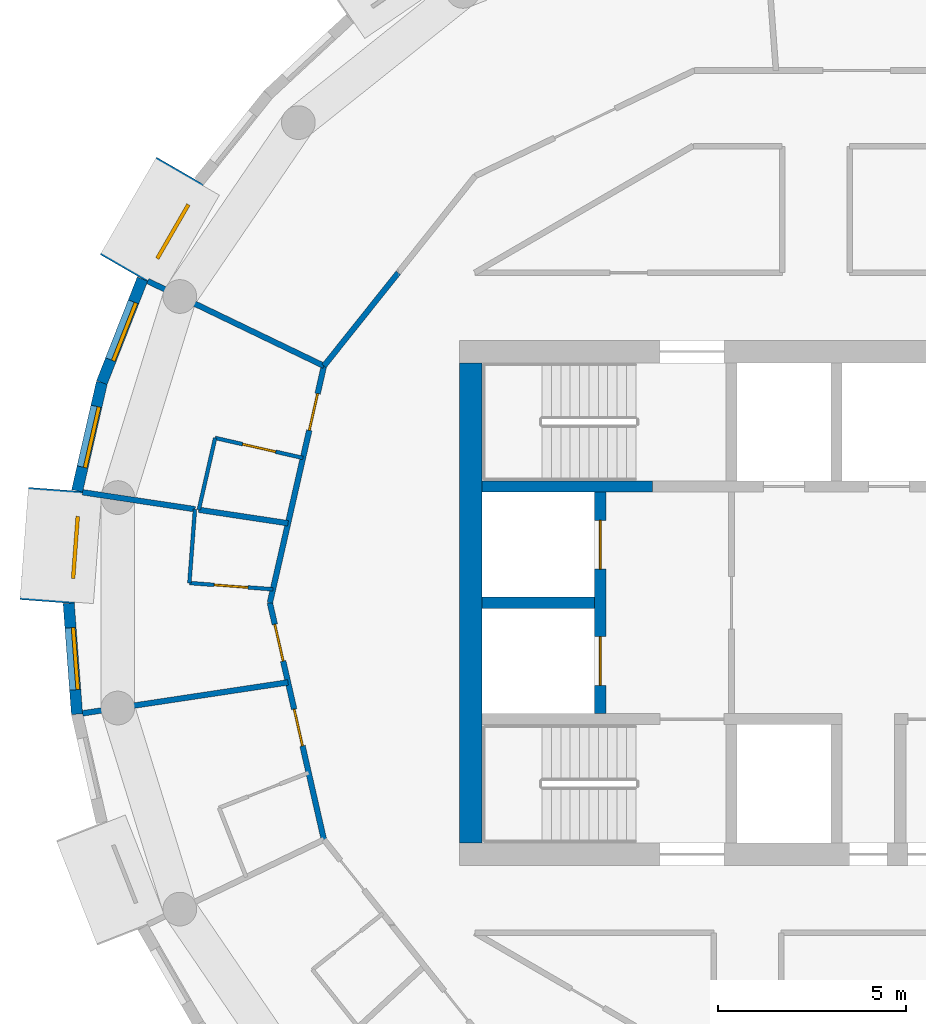
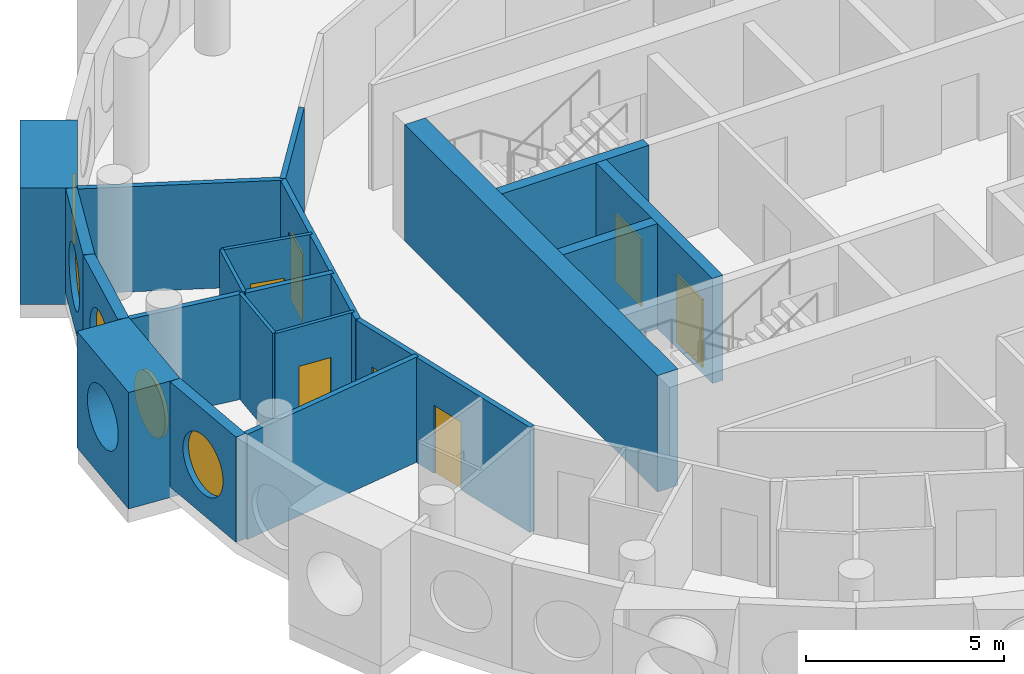
# One storey, part 6 of 12: 20 walls, 7 doors, 5 windows, 12 openings.
"""IFC4 building model written with IfcOpenShell, lengths in metres."""

from ifc_helpers import new_model, si_unit, direction, frame, frame_2d, origin, origin_2d, place, context, subcontext, project, spatial, rectangle, circle, extrude, material, layer, layer_set, type_object, element, fill, save


model = new_model("IFC4")

# Units and contexts
model_context = context("Model", 3, precision=1e-05, world=origin(), true_north=direction((0.0, 1.0)))
body_context = subcontext(model_context, "Body", "Model", "MODEL_VIEW")
ifc_project = project(units=[si_unit("LENGTHUNIT", "METRE"), si_unit("AREAUNIT", "SQUARE_METRE"), si_unit("VOLUMEUNIT", "CUBIC_METRE"), si_unit("PLANEANGLEUNIT", "RADIAN"), si_unit("MASSUNIT", "GRAM", prefix="KILO")], contexts=[model_context])

# Site, building, storey
site_placement = place(None, origin())
site = spatial("IfcSite", under=ifc_project, at=site_placement, CompositionType="ELEMENT")
building_placement = place(site_placement, origin())
building = spatial("IfcBuilding", under=site, at=building_placement, Name="Tracery Tower", CompositionType="ELEMENT")
storey_placement = place(building_placement, frame((0.0, 0.0, 291.0)))
storey = spatial("IfcBuildingStorey", under=building, at=storey_placement, Name="L75", CompositionType="ELEMENT", Elevation=291.0)

# Wall
ifc_material_1 = material(Name="Concrete C40/50", Category="concrete")
ifc_layer_1 = layer(ifc_material_1, 0.60009765625)
ifc_layer_set_1 = layer_set([ifc_layer_1], Name="Core wall 600 C40")
wall_type_1 = type_object("IfcWallType", Name="Core wall 600 C40", PredefinedType="SOLIDWALL", material=ifc_layer_set_1)
wall_1_placement = place(storey_placement, frame((-9.199951171875, -6.39990234375, 0.0), z_axis=(0.0, 0.0, 1.0), x_axis=(0.0, 1.0, 0.0)))
element("IfcWall", 1, at=wall_1_placement, inside=storey, type_object=wall_type_1, Name="L75 outer W", PredefinedType="SOLIDWALL", context=body_context, shape_type="SweptSolid", body=[
    extrude(rectangle(XDim=12.7998046875, YDim=0.60009765625, at=frame_2d((6.39990234375, 0.0))), origin(), (0.0, 0.0, 1.0), 3.60009765625),
])

# Wall, opening, window
ifc_material_2 = material(Name="Precast concrete C50/60", Category="concrete")
ifc_layer_2 = layer(ifc_material_2, 1.449951171875)
ifc_layer_set_2 = layer_set([ifc_layer_2], Name="Deep-set bay unit 3000 x 3600, slab edge 350")
wall_type_2 = type_object("IfcWallType", Name="Deep-set bay unit 3000 x 3600, slab edge 350", PredefinedType="ELEMENTEDWALL", material=ifc_layer_set_2)
wall_2_placement = place(storey_placement, frame((-16.952392578125, 11.51953125, -0.35009765625), z_axis=(0.0, 0.0, 1.0), x_axis=(-0.499990139034, -0.866031096941, 0.0)))
wall_2 = element("IfcWall", 2, at=wall_2_placement, inside=storey, type_object=wall_type_2, Name="Deep-set bay unit 18 at L75", PredefinedType="ELEMENTEDWALL", context=body_context, shape_type="SweptSolid", body=[
    extrude(rectangle(XDim=3.0, YDim=1.449951171875, at=frame_2d((1.5, 0.0))), origin(), (0.0, 0.0, 1.0), 3.60009765625),
])
opening_1_placement = place(wall_2_placement, frame((1.5, 0.0, 1.89990234375)))
opening_1 = element("IfcOpeningElement", 3, at=opening_1_placement, cuts=wall_2, Name="Opening WN1", PredefinedType="OPENING", context=body_context, shape_type="SweptSolid", body=[
    extrude(circle(Radius=0.9000244140625, at=origin_2d()), frame((0.0, 0.73486328125, 0.0), z_axis=(0.0, -1.0, 0.0), x_axis=(1.0, 0.0, 0.0)), (0.0, 0.0, 1.0), 1.469970703125),
])
ifc_material_3 = material(Name="Aluminium frame with tinted double glazing", Category="aluminium")
window_type = type_object("IfcWindowType", Name="Round window 1800", PartitioningType="SINGLE_PANEL", PredefinedType="WINDOW", material=ifc_material_3)
window_1_placement = place(opening_1_placement, origin())
window_1 = element("IfcWindow", 4, at=window_1_placement, inside=storey, type_object=window_type, Name="Round window 18 at L75", OverallHeight=1.800048828125, OverallWidth=1.800048828125, PartitioningType="SINGLE_PANEL", PredefinedType="WINDOW", context=body_context, shape_type="SweptSolid", body=[
    extrude(circle(Radius=0.9000244140625, at=origin_2d()), frame((0.0, 0.69482421875, 0.0), z_axis=(0.0, -1.0, 0.0), x_axis=(1.0, 0.0, 0.0)), (0.0, 0.0, 1.0), 0.10009765625),
])
fill(opening_1, window_1)

wall_3_placement = place(storey_placement, frame((-20.271728515625, 3.0234375, -0.35009765625), z_axis=(0.0, 0.0, 1.0), x_axis=(-0.074785902127, -0.997199613339, 0.0)))
wall_3 = element("IfcWall", 5, at=wall_3_placement, inside=storey, type_object=wall_type_2, Name="Deep-set bay unit 21 at L75", PredefinedType="ELEMENTEDWALL", context=body_context, shape_type="SweptSolid", body=[
    extrude(rectangle(XDim=3.0, YDim=1.449951171875, at=frame_2d((1.5, 0.0))), origin(), (0.0, 0.0, 1.0), 3.60009765625),
])
opening_2_placement = place(wall_3_placement, frame((1.5, 0.0, 1.89990234375)))
opening_2 = element("IfcOpeningElement", 6, at=opening_2_placement, cuts=wall_3, Name="Opening WN1", PredefinedType="OPENING", context=body_context, shape_type="SweptSolid", body=[
    extrude(circle(Radius=0.9000244140625, at=origin_2d()), frame((0.0, 0.73486328125, 0.0), z_axis=(0.0, -1.0, 0.0), x_axis=(1.0, 0.0, 0.0)), (0.0, 0.0, 1.0), 1.469970703125),
])
window_2_placement = place(opening_2_placement, origin())
window_2 = element("IfcWindow", 7, at=window_2_placement, inside=storey, type_object=window_type, Name="Round window 21 at L75", OverallHeight=1.800048828125, OverallWidth=1.800048828125, PartitioningType="SINGLE_PANEL", PredefinedType="WINDOW", context=body_context, shape_type="SweptSolid", body=[
    extrude(circle(Radius=0.9000244140625, at=origin_2d()), frame((0.0, 0.69482421875, 0.0), z_axis=(0.0, -1.0, 0.0), x_axis=(1.0, 0.0, 0.0)), (0.0, 0.0, 1.0), 0.10009765625),
])
fill(opening_2, window_2)

ifc_material_4 = material(Name="Precast concrete C50/60", Category="concrete")
ifc_layer_3 = layer(ifc_material_4, 0.300048828125)
ifc_layer_set_3 = layer_set([ifc_layer_3], Name="Facade panel 3000 x 3250")
wall_type_3 = type_object("IfcWallType", Name="Facade panel 3000 x 3250", PredefinedType="SOLIDWALL", material=ifc_layer_set_3)
wall_4_placement = place(storey_placement, frame((-17.95458984375, 8.62939453125, 0.0), z_axis=(0.0, 0.0, 1.0), x_axis=(-0.36530043032, -0.930889679612, 0.0)))
wall_4 = element("IfcWall", 8, at=wall_4_placement, inside=storey, type_object=wall_type_3, Name="Facade panel 19 at L75", PredefinedType="SOLIDWALL", context=body_context, shape_type="SweptSolid", body=[
    extrude(rectangle(XDim=2.9619140625, YDim=0.300048828125, at=frame_2d((1.48095703125, 0.0))), origin(), (0.0, 0.0, 1.0), 3.25),
])
opening_3_placement = place(wall_4_placement, frame((1.48095703125, 0.0, 1.5498046875)))
opening_3 = element("IfcOpeningElement", 9, at=opening_3_placement, cuts=wall_4, Name="Opening WN1", PredefinedType="OPENING", context=body_context, shape_type="SweptSolid", body=[
    extrude(circle(Radius=0.9000244140625, at=origin_2d()), frame((0.0, 0.159912109375, 0.0), z_axis=(0.0, -1.0, 0.0), x_axis=(1.0, 0.0, 0.0)), (0.0, 0.0, 1.0), 0.320068359375),
])
window_3_placement = place(opening_3_placement, origin())
window_3 = element("IfcWindow", 10, at=window_3_placement, inside=storey, type_object=window_type, Name="Round window 19 at L75", OverallHeight=1.800048828125, OverallWidth=1.800048828125, PartitioningType="SINGLE_PANEL", PredefinedType="WINDOW", context=body_context, shape_type="SweptSolid", body=[
    extrude(circle(Radius=0.9000244140625, at=origin_2d()), frame((0.0, 0.1201171875, 0.0), z_axis=(0.0, -1.0, 0.0), x_axis=(1.0, 0.0, 0.0)), (0.0, 0.0, 1.0), 0.10009765625),
])
fill(opening_3, window_3)

wall_5_placement = place(storey_placement, frame((-19.03662109375, 5.8720703125, 0.0), z_axis=(0.0, 0.0, 1.0), x_axis=(-0.222529389789, -0.974925982155, 0.0)))
wall_5 = element("IfcWall", 11, at=wall_5_placement, inside=storey, type_object=wall_type_3, Name="Facade panel 20 at L75", PredefinedType="SOLIDWALL", context=body_context, shape_type="SweptSolid", body=[
    extrude(rectangle(XDim=2.962158203125, YDim=0.300048828125, at=frame_2d((1.48095703125, 0.0))), origin(), (0.0, 0.0, 1.0), 3.25),
])
opening_4_placement = place(wall_5_placement, frame((1.48095703125, 0.0, 1.5498046875)))
opening_4 = element("IfcOpeningElement", 12, at=opening_4_placement, cuts=wall_5, Name="Opening WN1", PredefinedType="OPENING", context=body_context, shape_type="SweptSolid", body=[
    extrude(circle(Radius=0.9000244140625, at=origin_2d()), frame((0.0, 0.159912109375, 0.0), z_axis=(0.0, -1.0, 0.0), x_axis=(1.0, 0.0, 0.0)), (0.0, 0.0, 1.0), 0.320068359375),
])
window_4_placement = place(opening_4_placement, origin())
window_4 = element("IfcWindow", 13, at=window_4_placement, inside=storey, type_object=window_type, Name="Round window 20 at L75", OverallHeight=1.800048828125, OverallWidth=1.800048828125, PartitioningType="SINGLE_PANEL", PredefinedType="WINDOW", context=body_context, shape_type="SweptSolid", body=[
    extrude(circle(Radius=0.9000244140625, at=origin_2d()), frame((0.0, 0.1201171875, 0.0), z_axis=(0.0, -1.0, 0.0), x_axis=(1.0, 0.0, 0.0)), (0.0, 0.0, 1.0), 0.10009765625),
])
fill(opening_4, window_4)

wall_6_placement = place(storey_placement, frame((-19.920654296875, -0.01513671875, 0.0), z_axis=(0.0, 0.0, 1.0), x_axis=(0.07474897196, -0.997202382263, 0.0)))
wall_6 = element("IfcWall", 14, at=wall_6_placement, inside=storey, type_object=wall_type_3, Name="Facade panel 22 at L75", PredefinedType="SOLIDWALL", context=body_context, shape_type="SweptSolid", body=[
    extrude(rectangle(XDim=2.96240234375, YDim=0.300048828125, at=frame_2d((1.481201171875, 0.0))), origin(), (0.0, 0.0, 1.0), 3.25),
])
opening_5_placement = place(wall_6_placement, frame((1.48095703125, 0.0, 1.5498046875)))
opening_5 = element("IfcOpeningElement", 15, at=opening_5_placement, cuts=wall_6, Name="Opening WN1", PredefinedType="OPENING", context=body_context, shape_type="SweptSolid", body=[
    extrude(circle(Radius=0.9000244140625, at=origin_2d()), frame((0.0, 0.159912109375, 0.0), z_axis=(0.0, -1.0, 0.0), x_axis=(1.0, 0.0, 0.0)), (0.0, 0.0, 1.0), 0.320068359375),
])
window_5_placement = place(opening_5_placement, origin())
window_5 = element("IfcWindow", 16, at=window_5_placement, inside=storey, type_object=window_type, Name="Round window 22 at L75", OverallHeight=1.800048828125, OverallWidth=1.800048828125, PartitioningType="SINGLE_PANEL", PredefinedType="WINDOW", context=body_context, shape_type="SweptSolid", body=[
    extrude(circle(Radius=0.9000244140625, at=origin_2d()), frame((0.0, 0.1201171875, 0.0), z_axis=(0.0, -1.0, 0.0), x_axis=(1.0, 0.0, 0.0)), (0.0, 0.0, 1.0), 0.10009765625),
])
fill(opening_5, window_5)

# Wall, opening, door
ifc_material_5 = material(Name="Plasterboard on steel studs", Category="steel")
ifc_layer_4 = layer(ifc_material_5, 0.10009765625)
ifc_layer_set_4 = layer_set([ifc_layer_4], Name="Partition 100 wet wall")
wall_type_4 = type_object("IfcWallType", Name="Partition 100 wet wall", PredefinedType="PARTITIONING", material=ifc_layer_set_4)
wall_7_placement = place(storey_placement, frame((-16.014892578125, 4.39599609375, 0.0), z_axis=(0.0, 0.0, 1.0), x_axis=(0.97493862442, -0.222473995368, 0.0)))
wall_7 = element("IfcWall", 17, at=wall_7_placement, inside=storey, type_object=wall_type_4, Name="Wet wall RC6-060", PredefinedType="PARTITIONING", context=body_context, shape_type="SweptSolid", body=[
    extrude(rectangle(XDim=2.39990234375, YDim=0.10009765625, at=frame_2d((1.199951171875, 0.0))), origin(), (0.0, 0.0, 1.0), 3.25),
])
opening_6_placement = place(wall_7_placement, frame((0.750244140625, 0.0, 0.0)))
opening_6 = element("IfcOpeningElement", 18, at=opening_6_placement, cuts=wall_7, Name="Opening RC6-14", PredefinedType="OPENING", context=body_context, shape_type="SweptSolid", body=[
    extrude(rectangle(XDim=0.89990234375, YDim=2.0400390625, at=frame_2d((0.449951171875, 1.02001953125))), frame((0.0, 0.050048828125, 0.0), z_axis=(0.0, -1.0, 0.0), x_axis=(1.0, 0.0, 0.0)), (0.0, 0.0, 1.0), 0.10009765625),
])
ifc_material_6 = material(Name="Timber door leaf", Category="wood")
door_type_1 = type_object("IfcDoorType", Name="Door en-suite 900", OperationType="NOTDEFINED", PredefinedType="DOOR", material=ifc_material_6)
door_1_placement = place(opening_6_placement, origin())
door_1 = element("IfcDoor", 19, at=door_1_placement, inside=storey, type_object=door_type_1, Name="En-suite door RC6-14", OperationType="SINGLE_SWING_LEFT", OverallHeight=2.0400390625, OverallWidth=0.89990234375, PredefinedType="DOOR", context=body_context, shape_type="SweptSolid", body=[
    extrude(rectangle(XDim=0.89990234375, YDim=2.0400390625, at=frame_2d((0.449951171875, 1.02001953125))), frame((0.0, 0.02490234375, 0.0), z_axis=(0.0, -1.0, 0.0), x_axis=(1.0, 0.0, 0.0)), (0.0, 0.0, 1.0), 0.050048828125),
])
fill(opening_6, door_1)

# Walls
wall_8_placement = place(storey_placement, frame((-16.451904296875, 2.47998046875, 0.0), z_axis=(0.0, 0.0, 1.0), x_axis=(0.22237276708, 0.974961718459, 0.0)))
element("IfcWall", 20, at=wall_8_placement, inside=storey, type_object=wall_type_4, Name="Wet wall RC6-061", PredefinedType="PARTITIONING", context=body_context, shape_type="SweptSolid", body=[
    extrude(rectangle(XDim=1.96533203125, YDim=0.10009765625, at=frame_2d((0.982666015625, 0.0))), origin(), (0.0, 0.0, 1.0), 3.25),
])
wall_9_placement = place(storey_placement, frame((-16.702880859375, 0.527099609375, 0.0), z_axis=(0.0, 0.0, 1.0), x_axis=(0.07496524071, 0.99718614746, 0.0)))
element("IfcWall", 21, at=wall_9_placement, inside=storey, type_object=wall_type_4, Name="Wet wall RC6-064", PredefinedType="PARTITIONING", context=body_context, shape_type="SweptSolid", body=[
    extrude(rectangle(XDim=1.9736328125, YDim=0.10009765625, at=frame_2d((0.98681640625, 0.0))), origin(), (0.0, 0.0, 1.0), 3.25),
])

# Wall, opening, door
wall_10_placement = place(storey_placement, frame((-16.702880859375, 0.527099609375, 0.0), z_axis=(0.0, 0.0, 1.0), x_axis=(0.997202365433, -0.074749196488, 0.0)))
wall_10 = element("IfcWall", 22, at=wall_10_placement, inside=storey, type_object=wall_type_4, Name="Wet wall RC6-065", PredefinedType="PARTITIONING", context=body_context, shape_type="SweptSolid", body=[
    extrude(rectangle(XDim=2.234130859375, YDim=0.10009765625, at=frame_2d((1.1171875, 0.0))), origin(), (0.0, 0.0, 1.0), 3.25),
])
opening_7_placement = place(wall_10_placement, frame((0.6669921875, 0.0, 0.0)))
opening_7 = element("IfcOpeningElement", 23, at=opening_7_placement, cuts=wall_10, Name="Opening RC6-16", PredefinedType="OPENING", context=body_context, shape_type="SweptSolid", body=[
    extrude(rectangle(XDim=0.89990234375, YDim=2.0400390625, at=frame_2d((0.449951171875, 1.02001953125))), frame((0.0, 0.050048828125, 0.0), z_axis=(0.0, -1.0, 0.0), x_axis=(1.0, 0.0, 0.0)), (0.0, 0.0, 1.0), 0.10009765625),
])
door_2_placement = place(opening_7_placement, origin())
door_2 = element("IfcDoor", 24, at=door_2_placement, inside=storey, type_object=door_type_1, Name="En-suite door RC6-16", OperationType="SINGLE_SWING_LEFT", OverallHeight=2.0400390625, OverallWidth=0.89990234375, PredefinedType="DOOR", context=body_context, shape_type="SweptSolid", body=[
    extrude(rectangle(XDim=0.89990234375, YDim=2.0400390625, at=frame_2d((0.449951171875, 1.02001953125))), frame((0.0, 0.02490234375, 0.0), z_axis=(0.0, -1.0, 0.0), x_axis=(1.0, 0.0, 0.0)), (0.0, 0.0, 1.0), 0.050048828125),
])
fill(opening_7, door_2)

# Walls
ifc_material_7 = material(Name="Plasterboard on steel studs", Category="steel")
ifc_layer_5 = layer(ifc_material_7, 0.14990234375)
ifc_layer_set_5 = layer_set([ifc_layer_5], Name="Partition 150 acoustic unit wall")
wall_type_5 = type_object("IfcWallType", Name="Partition 150 acoustic unit wall", PredefinedType="PARTITIONING", material=ifc_layer_set_5)
wall_11_placement = place(storey_placement, frame((-17.81298828125, 8.577880859375, 0.0), z_axis=(0.0, 0.0, 1.0), x_axis=(0.901004381064, -0.433809987557, 0.0)))
element("IfcWall", 25, at=wall_11_placement, inside=storey, type_object=wall_type_5, Name="Unit wall RC6-059", PredefinedType="PARTITIONING", context=body_context, shape_type="SweptSolid", body=[
    extrude(rectangle(XDim=5.214111328125, YDim=0.14990234375, at=frame_2d((2.60693359375, 0.0))), origin(), (0.0, 0.0, 1.0), 3.25),
])
wall_12_placement = place(storey_placement, frame((-19.551025390625, 2.947021484375, 0.0), z_axis=(0.0, 0.0, 1.0), x_axis=(0.988844081525, -0.14895429646, 0.0)))
element("IfcWall", 26, at=wall_12_placement, inside=storey, type_object=wall_type_5, Name="Unit wall RC6-062", PredefinedType="PARTITIONING", context=body_context, shape_type="SweptSolid", body=[
    extrude(rectangle(XDim=3.033935546875, YDim=0.14990234375, at=frame_2d((1.51708984375, 0.0))), origin(), (0.0, 0.0, 1.0), 3.25),
])
wall_13_placement = place(storey_placement, frame((-16.451904296875, 2.47998046875, 0.0), z_axis=(0.0, 0.0, 1.0), x_axis=(0.988810951618, -0.149174065977, 0.0)))
element("IfcWall", 27, at=wall_13_placement, inside=storey, type_object=wall_type_5, Name="Unit wall RC6-063", PredefinedType="PARTITIONING", context=body_context, shape_type="SweptSolid", body=[
    extrude(rectangle(XDim=2.40576171875, YDim=0.14990234375, at=frame_2d((1.202880859375, 0.0))), origin(), (0.0, 0.0, 1.0), 3.25),
])
wall_14_placement = place(storey_placement, frame((-19.551025390625, -2.947021484375, 0.0), z_axis=(0.0, 0.0, 1.0), x_axis=(0.988824228734, 0.149086031099, 0.0)))
element("IfcWall", 28, at=wall_14_placement, inside=storey, type_object=wall_type_5, Name="Unit wall RC6-066", PredefinedType="PARTITIONING", context=body_context, shape_type="SweptSolid", body=[
    extrude(rectangle(XDim=5.5400390625, YDim=0.14990234375, at=frame_2d((2.77001953125, 0.0))), origin(), (0.0, 0.0, 1.0), 3.25),
])
ifc_material_8 = material(Name="Plasterboard on steel studs", Category="steel")
ifc_layer_6 = layer(ifc_material_8, 0.14990234375)
ifc_layer_set_6 = layer_set([ifc_layer_6], Name="Partition 150 corridor wall")
wall_type_6 = type_object("IfcWallType", Name="Partition 150 corridor wall", PredefinedType="PARTITIONING", material=ifc_layer_set_6)
wall_15_placement = place(storey_placement, frame((-13.114990234375, 6.31591796875, 0.0), z_axis=(0.0, 0.0, 1.0), x_axis=(0.623476099415, 0.781842409606, 0.0)))
element("IfcWall", 29, at=wall_15_placement, inside=storey, type_object=wall_type_6, Name="Corridor wall RC6-033", PredefinedType="PARTITIONING", context=body_context, shape_type="SweptSolid", body=[
    extrude(rectangle(XDim=3.17724609375, YDim=0.14990234375, at=frame_2d((1.588623046875, 0.0))), origin(), (0.0, 0.0, 1.0), 3.25),
])

# Wall, opening, door
wall_16_placement = place(storey_placement, frame((-14.556640625, 0.0, 0.0), z_axis=(0.0, 0.0, 1.0), x_axis=(0.222533159771, 0.974925121639, 0.0)))
wall_16 = element("IfcWall", 30, at=wall_16_placement, inside=storey, type_object=wall_type_6, Name="Corridor wall RC6-034", PredefinedType="PARTITIONING", context=body_context, shape_type="SweptSolid", body=[
    extrude(rectangle(XDim=6.478271484375, YDim=0.14990234375, at=frame_2d((3.2392578125, 0.0))), origin(), (0.0, 0.0, 1.0), 3.25),
])
opening_8_placement = place(wall_16_placement, frame((4.71826171875, 0.0, 0.0)))
opening_8 = element("IfcOpeningElement", 31, at=opening_8_placement, cuts=wall_16, Name="Opening RC6-15", PredefinedType="OPENING", context=body_context, shape_type="SweptSolid", body=[
    extrude(rectangle(XDim=1.0, YDim=2.10009765625, at=frame_2d((0.5, 1.050048828125))), frame((0.0, 0.074951171875, 0.0), z_axis=(0.0, -1.0, 0.0), x_axis=(1.0, 0.0, 0.0)), (0.0, 0.0, 1.0), 0.14990234375),
])
ifc_material_9 = material(Name="Timber door leaf", Category="wood")
door_type_2 = type_object("IfcDoorType", Name="Door unit entrance 1000", OperationType="NOTDEFINED", PredefinedType="DOOR", material=ifc_material_9)
door_3_placement = place(opening_8_placement, origin())
door_3 = element("IfcDoor", 32, at=door_3_placement, inside=storey, type_object=door_type_2, Name="Unit entrance door RC6-15", OperationType="SINGLE_SWING_RIGHT", OverallHeight=2.10009765625, OverallWidth=1.0, PredefinedType="DOOR", context=body_context, shape_type="SweptSolid", body=[
    extrude(rectangle(XDim=1.0, YDim=2.10009765625, at=frame_2d((0.5, 1.050048828125))), frame((0.0, 0.02490234375, 0.0), z_axis=(0.0, -1.0, 0.0), x_axis=(1.0, 0.0, 0.0)), (0.0, 0.0, 1.0), 0.050048828125),
])
fill(opening_8, door_3)

# Wall, openings, doors
wall_17_placement = place(storey_placement, frame((-14.556884765625, 0.0, 0.0), z_axis=(0.0, 0.0, 1.0), x_axis=(0.222489165471, -0.974935162587, 0.0)))
wall_17 = element("IfcWall", 33, at=wall_17_placement, inside=storey, type_object=wall_type_6, Name="Corridor wall RC6-035", PredefinedType="PARTITIONING", context=body_context, shape_type="SweptSolid", body=[
    extrude(rectangle(XDim=6.478515625, YDim=0.14990234375, at=frame_2d((3.2392578125, 0.0))), origin(), (0.0, 0.0, 1.0), 3.25),
])
opening_9_placement = place(wall_17_placement, frame((0.589599609375, 0.0, 0.0)))
opening_9 = element("IfcOpeningElement", 34, at=opening_9_placement, cuts=wall_17, Name="Opening RC6-17", PredefinedType="OPENING", context=body_context, shape_type="SweptSolid", body=[
    extrude(rectangle(XDim=1.0, YDim=2.10009765625, at=frame_2d((0.5, 1.050048828125))), frame((0.0, 0.074951171875, 0.0), z_axis=(0.0, -1.0, 0.0), x_axis=(1.0, 0.0, 0.0)), (0.0, 0.0, 1.0), 0.14990234375),
])
opening_10_placement = place(wall_17_placement, frame((2.91162109375, 0.0, 0.0)))
opening_10 = element("IfcOpeningElement", 35, at=opening_10_placement, cuts=wall_17, Name="Opening RC6-19", PredefinedType="OPENING", context=body_context, shape_type="SweptSolid", body=[
    extrude(rectangle(XDim=1.0, YDim=2.10009765625, at=frame_2d((0.5, 1.050048828125))), frame((0.0, 0.074951171875, 0.0), z_axis=(0.0, -1.0, 0.0), x_axis=(1.0, 0.0, 0.0)), (0.0, 0.0, 1.0), 0.14990234375),
])
door_4_placement = place(opening_9_placement, origin())
door_4 = element("IfcDoor", 36, at=door_4_placement, inside=storey, type_object=door_type_2, Name="Unit entrance door RC6-17", OperationType="SINGLE_SWING_RIGHT", OverallHeight=2.10009765625, OverallWidth=1.0, PredefinedType="DOOR", context=body_context, shape_type="SweptSolid", body=[
    extrude(rectangle(XDim=1.0, YDim=2.10009765625, at=frame_2d((0.5, 1.050048828125))), frame((0.0, 0.02490234375, 0.0), z_axis=(0.0, -1.0, 0.0), x_axis=(1.0, 0.0, 0.0)), (0.0, 0.0, 1.0), 0.050048828125),
])
fill(opening_9, door_4)
door_5_placement = place(opening_10_placement, origin())
door_5 = element("IfcDoor", 37, at=door_5_placement, inside=storey, type_object=door_type_2, Name="Unit entrance door RC6-19", OperationType="SINGLE_SWING_LEFT", OverallHeight=2.10009765625, OverallWidth=1.0, PredefinedType="DOOR", context=body_context, shape_type="SweptSolid", body=[
    extrude(rectangle(XDim=1.0, YDim=2.10009765625, at=frame_2d((0.5, 1.050048828125))), frame((0.0, 0.02490234375, 0.0), z_axis=(0.0, -1.0, 0.0), x_axis=(1.0, 0.0, 0.0)), (0.0, 0.0, 1.0), 0.050048828125),
])
fill(opening_10, door_5)

# Wall
ifc_material_10 = material(Name="Concrete C40/50", Category="concrete")
ifc_layer_7 = layer(ifc_material_10, 0.300048828125)
ifc_layer_set_7 = layer_set([ifc_layer_7], Name="Shaft wall 300 C40")
wall_type_7 = type_object("IfcWallType", Name="Shaft wall 300 C40", PredefinedType="SOLIDWALL", material=ifc_layer_set_7)
wall_18_placement = place(storey_placement, frame((-8.89990234375, 0.0, 0.0), z_axis=(0.0, 0.0, 1.0), x_axis=(1.0, 0.0, 0.0)))
element("IfcWall", 38, at=wall_18_placement, inside=storey, type_object=wall_type_7, Name="L75 FF split", PredefinedType="SOLIDWALL", context=body_context, shape_type="SweptSolid", body=[
    extrude(rectangle(XDim=3.0, YDim=0.300048828125, at=frame_2d((1.5, 0.0))), origin(), (0.0, 0.0, 1.0), 3.25),
])

# Wall, openings, doors
wall_19_placement = place(storey_placement, frame((-5.75, -2.949951171875, 0.0), z_axis=(0.0, 0.0, 1.0), x_axis=(0.0, 1.0, 0.0)))
wall_19 = element("IfcWall", 39, at=wall_19_placement, inside=storey, type_object=wall_type_7, Name="L75 FF doors", PredefinedType="SOLIDWALL", context=body_context, shape_type="SweptSolid", body=[
    extrude(rectangle(XDim=5.89990234375, YDim=0.300048828125, at=frame_2d((2.949951171875, 0.0))), origin(), (0.0, 0.0, 1.0), 3.25),
])
opening_11_placement = place(wall_19_placement, frame((0.75, 0.0, 0.0)))
opening_11 = element("IfcOpeningElement", 40, at=opening_11_placement, cuts=wall_19, Name="Opening KD54", PredefinedType="OPENING", context=body_context, shape_type="SweptSolid", body=[
    extrude(rectangle(XDim=1.300048828125, YDim=2.10009765625, at=frame_2d((0.64990234375, 1.050048828125))), frame((0.0, 0.14990234375, 0.0), z_axis=(0.0, -1.0, 0.0), x_axis=(1.0, 0.0, 0.0)), (0.0, 0.0, 1.0), 0.300048828125),
])
opening_12_placement = place(wall_19_placement, frame((3.85009765625, 0.0, 0.0)))
opening_12 = element("IfcOpeningElement", 41, at=opening_12_placement, cuts=wall_19, Name="Opening KD55", PredefinedType="OPENING", context=body_context, shape_type="SweptSolid", body=[
    extrude(rectangle(XDim=1.300048828125, YDim=2.10009765625, at=frame_2d((0.64990234375, 1.050048828125))), frame((0.0, 0.14990234375, 0.0), z_axis=(0.0, -1.0, 0.0), x_axis=(1.0, 0.0, 0.0)), (0.0, 0.0, 1.0), 0.300048828125),
])
ifc_material_11 = material(Name="Steel fire door", Category="steel")
door_type_3 = type_object("IfcDoorType", Name="Landing door FF 1300", OperationType="NOTDEFINED", PredefinedType="DOOR", material=ifc_material_11)
door_6_placement = place(opening_11_placement, origin())
door_6 = element("IfcDoor", 42, at=door_6_placement, inside=storey, type_object=door_type_3, Name="Landing door FF1", OperationType="SLIDING_TO_LEFT", OverallHeight=2.10009765625, OverallWidth=1.300048828125, PredefinedType="DOOR", context=body_context, shape_type="SweptSolid", body=[
    extrude(rectangle(XDim=1.300048828125, YDim=2.10009765625, at=frame_2d((0.64990234375, 1.050048828125))), frame((0.0, 0.02490234375, 0.0), z_axis=(0.0, -1.0, 0.0), x_axis=(1.0, 0.0, 0.0)), (0.0, 0.0, 1.0), 0.050048828125),
])
fill(opening_11, door_6)
door_7_placement = place(opening_12_placement, origin())
door_7 = element("IfcDoor", 43, at=door_7_placement, inside=storey, type_object=door_type_3, Name="Landing door FF2", OperationType="SLIDING_TO_RIGHT", OverallHeight=2.10009765625, OverallWidth=1.300048828125, PredefinedType="DOOR", context=body_context, shape_type="SweptSolid", body=[
    extrude(rectangle(XDim=1.300048828125, YDim=2.10009765625, at=frame_2d((0.64990234375, 1.050048828125))), frame((0.0, 0.02490234375, 0.0), z_axis=(0.0, -1.0, 0.0), x_axis=(1.0, 0.0, 0.0)), (0.0, 0.0, 1.0), 0.050048828125),
])
fill(opening_12, door_7)

# Wall
ifc_material_12 = material(Name="Concrete C40/50", Category="concrete")
ifc_layer_8 = layer(ifc_material_12, 0.300048828125)
ifc_layer_set_8 = layer_set([ifc_layer_8], Name="Stair wall 300 C40")
wall_type_8 = type_object("IfcWallType", Name="Stair wall 300 C40", PredefinedType="SOLIDWALL", material=ifc_layer_set_8)
wall_20_placement = place(storey_placement, frame((-8.89990234375, 3.10009765625, 0.0), z_axis=(0.0, 0.0, 1.0), x_axis=(1.0, 0.0, 0.0)))
element("IfcWall", 44, at=wall_20_placement, inside=storey, type_object=wall_type_8, Name="L75 row N W", PredefinedType="SOLIDWALL", context=body_context, shape_type="SweptSolid", body=[
    extrude(rectangle(XDim=4.5498046875, YDim=0.300048828125, at=frame_2d((2.27490234375, 0.0))), origin(), (0.0, 0.0, 1.0), 3.25),
])

save(model, "model.ifc")
